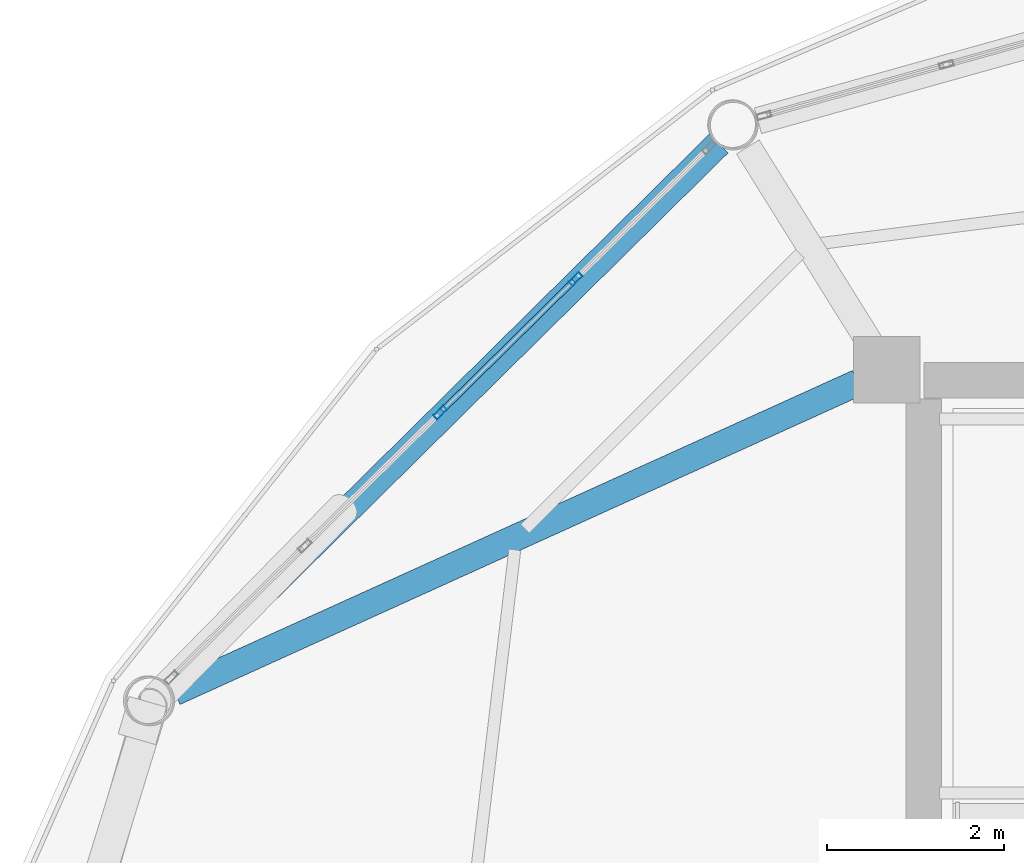
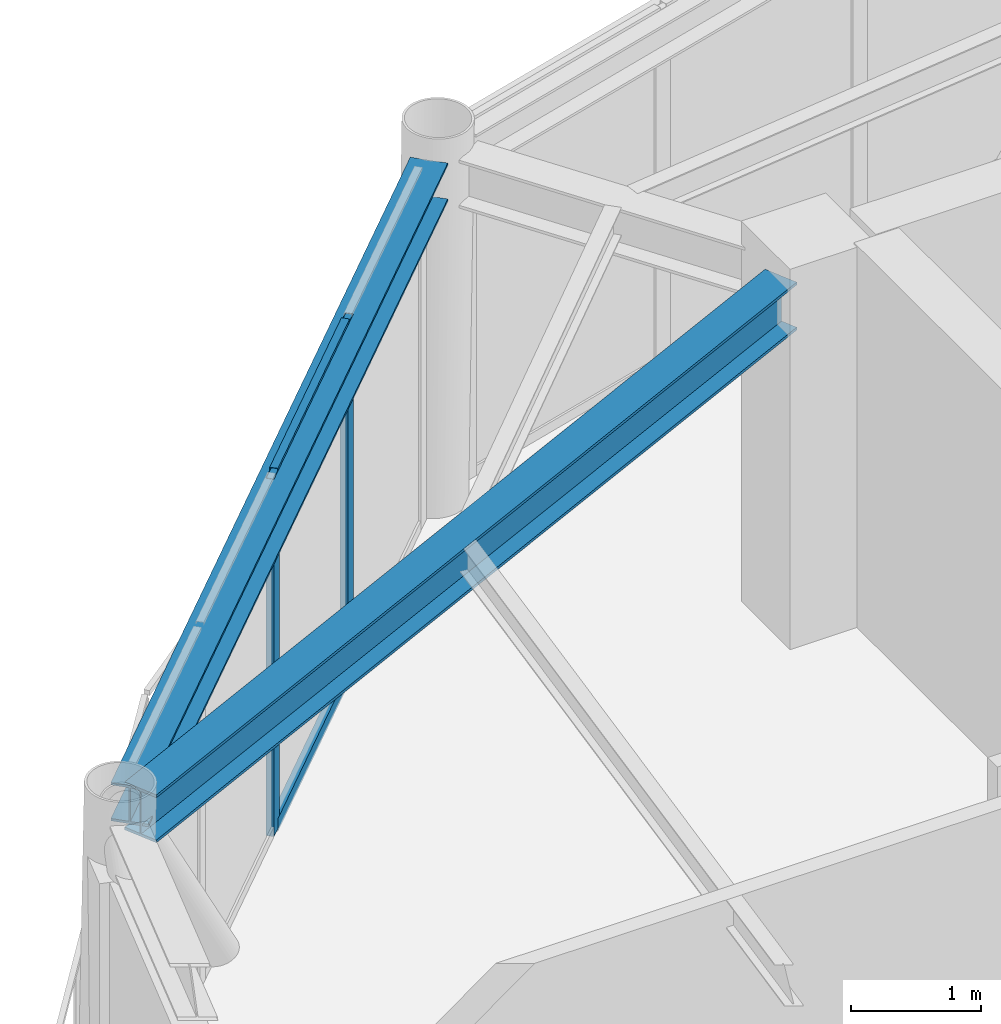
# One storey, part 13 of 26: 4 members, 2 beams, 1 element without a shape of its own.
"""IFC4 building model written with IfcOpenShell, lengths in metres."""

from ifc_helpers import new_model, si_unit, direction, frame, origin, origin_2d, place, context, subcontext, project, spatial, hollow_rectangle, i_section, extrude, material, layer, layer_set, material_profile, profile_set, type_object, element, aggregate, save


model = new_model("IFC4")

# Units and contexts
model_context = context("Model", 3, precision=1e-05, world=origin(), true_north=direction((0.0, 1.0)))
body_context = subcontext(model_context, "Body", "Model", "MODEL_VIEW")
ifc_project = project(units=[si_unit("LENGTHUNIT", "METRE"), si_unit("AREAUNIT", "SQUARE_METRE"), si_unit("VOLUMEUNIT", "CUBIC_METRE"), si_unit("PLANEANGLEUNIT", "RADIAN"), si_unit("MASSUNIT", "GRAM", prefix="KILO")], contexts=[model_context])

# Site, building, storey
site_placement = place(None, origin())
site = spatial("IfcSite", under=ifc_project, at=site_placement, CompositionType="ELEMENT")
building_placement = place(site_placement, origin())
building = spatial("IfcBuilding", under=site, at=building_placement, Name="Varnakorn Sky Granary", CompositionType="ELEMENT")
storey_placement = place(building_placement, frame((0.0, 0.0, 267.0)))
storey = spatial("IfcBuildingStorey", under=building, at=storey_placement, Name="L68", CompositionType="ELEMENT", Elevation=267.0)

# Beams
ifc_material_1 = material(Name="Steel S355JR", Category="steel")
ifc_material_profile_1 = material_profile(ifc_material_1, i_section(OverallWidth=0.300048828125, OverallDepth=0.449951171875, WebThickness=0.013916015625, FlangeThickness=0.02587890625, at=origin_2d()), Name="HE 450 B")
ifc_profile_set_1 = profile_set([ifc_material_profile_1], Name="Steel S355JR")
beam_type_1 = type_object("IfcBeamType", Name="BM-RAD-Z5", PredefinedType="BEAM", material=ifc_profile_set_1)
beam_1_placement = place(storey_placement, frame((-2.743408203125, 12.473388671875, 3.135009765625), z_axis=(-0.910786524574, -0.412877592822, 0.0), x_axis=(0.412877592822, -0.910786524574, 0.0)))
element("IfcBeam", 1, at=beam_1_placement, inside=storey, type_object=beam_type_1, Name="Radial Floor Girder RG06 L68", PredefinedType="BEAM", context=body_context, shape_type="SweptSolid", body=[
    extrude(i_section(OverallWidth=0.300048828125, OverallDepth=0.449951171875, WebThickness=0.013916015625, FlangeThickness=0.02587890625, at=origin_2d()), origin(), (0.0, 0.0, 1.0), 8.469970703125),
])
ifc_material_profile_2 = material_profile(ifc_material_1, i_section(OverallWidth=0.300048828125, OverallDepth=0.360107421875, WebThickness=0.012451171875, FlangeThickness=0.0224609375, at=origin_2d()), Name="HE 360 B")
ifc_profile_set_2 = profile_set([ifc_material_profile_2], Name="Steel S355JR")
beam_type_2 = type_object("IfcBeamType", Name="BM-SPD-Z5", PredefinedType="SPANDREL", material=ifc_profile_set_2)
beam_2_placement = place(storey_placement, frame((-4.315185546875, 15.172119140625, 3.179931640625), z_axis=(-0.71146702689, -0.702719481478, 0.0), x_axis=(0.702719481478, -0.71146702689, 0.0)))
element("IfcBeam", 2, at=beam_2_placement, inside=storey, type_object=beam_type_2, Name="Perimeter Spandrel Ring Beam RB05 L68", PredefinedType="SPANDREL", context=body_context, shape_type="SweptSolid", body=[
    extrude(i_section(OverallWidth=0.300048828125, OverallDepth=0.360107421875, WebThickness=0.012451171875, FlangeThickness=0.0224609375, at=origin_2d()), origin(), (0.0, 0.0, 1.0), 8.707763671875),
])

# Curtain wall, members
ifc_material_2 = material(Name="Anodised Bronze Aluminium Alloy 6063-T6", Category="aluminium")
ifc_layer = layer(ifc_material_2, 0.159912109375, Name="Anodised Bronze Aluminium Alloy 6063-T6")
ifc_layer_set = layer_set([ifc_layer], Name="Anodised Bronze Aluminium Alloy 6063-T6")
curtain_wall_type = type_object("IfcCurtainWallType", Name="CW-OFF-1", PredefinedType="USERDEFINED", material=ifc_layer_set)
curtain_wall_placement = place(storey_placement, origin())
curtain_wall = element("IfcCurtainWall", 3, at=curtain_wall_placement, inside=storey, type_object=curtain_wall_type, Name="Unitised Curtain Wall CW6 CW-L68-B05", ObjectType="CURTAIN WALL", PredefinedType="USERDEFINED")
ifc_material_profile_3 = material_profile(ifc_material_2, hollow_rectangle(XDim=0.06494140625, YDim=0.159912109375, WallThickness=0.00341796875, at=origin_2d()), Name="ALU MULL 65x160")
ifc_profile_set_3 = profile_set([ifc_material_profile_3], Name="Anodised Bronze Aluminium Alloy 6063-T6")
member_type_1 = type_object("IfcMemberType", Name="CW-OFF-1-MULL", PredefinedType="MULLION", material=ifc_profile_set_3)
member_1_placement = place(storey_placement, frame((-7.45849609375, 12.1357421875, 0.0), z_axis=(0.0, 0.0, 1.0), x_axis=(-0.702091405728, 0.71208683319, 0.0)))
member_1 = element("IfcMember", 4, at=member_1_placement, type_object=member_type_1, Name="CW6 mullion 3", PredefinedType="MULLION", context=body_context, shape_type="SweptSolid", body=[
    extrude(hollow_rectangle(XDim=0.06494140625, YDim=0.159912109375, WallThickness=0.00341796875, at=origin_2d()), origin(), (0.0, 0.0, 1.0), 3.360107421875),
])
member_2_placement = place(storey_placement, frame((-5.930419921875, 13.642333984375, 0.0), z_axis=(0.0, 0.0, 1.0), x_axis=(-0.702091405728, 0.71208683319, 0.0)))
member_2 = element("IfcMember", 5, at=member_2_placement, type_object=member_type_1, Name="CW6 mullion 4", PredefinedType="MULLION", context=body_context, shape_type="SweptSolid", body=[
    extrude(hollow_rectangle(XDim=0.06494140625, YDim=0.159912109375, WallThickness=0.00341796875, at=origin_2d()), origin(), (0.0, 0.0, 1.0), 3.360107421875),
])
ifc_material_profile_4 = material_profile(ifc_material_2, hollow_rectangle(XDim=0.06494140625, YDim=0.1201171875, WallThickness=0.00341796875, at=origin_2d()), Name="ALU TRAN 65x120")
ifc_profile_set_4 = profile_set([ifc_material_profile_4], Name="Anodised Bronze Aluminium Alloy 6063-T6")
member_type_2 = type_object("IfcMemberType", Name="CW-OFF-1-TRAN", PredefinedType="USERDEFINED", material=ifc_profile_set_4)
member_3_placement = place(storey_placement, frame((-7.435302734375, 12.158447265625, 0.032470703125), z_axis=(0.712017066313, 0.70216215882, 0.0), x_axis=(-0.70216215882, 0.712017066313, 0.0)))
member_3 = element("IfcMember", 6, at=member_3_placement, type_object=member_type_2, Name="CW6 transom 3.1", ObjectType="TRANSOM", PredefinedType="USERDEFINED", context=body_context, shape_type="SweptSolid", body=[
    extrude(hollow_rectangle(XDim=0.06494140625, YDim=0.1201171875, WallThickness=0.00341796875, at=origin_2d()), origin(), (0.0, 0.0, 1.0), 2.0810546875),
])
member_4_placement = place(storey_placement, frame((-7.435302734375, 12.158447265625, 3.327392578125), z_axis=(0.712017066313, 0.70216215882, 0.0), x_axis=(-0.70216215882, 0.712017066313, 0.0)))
member_4 = element("IfcMember", 7, at=member_4_placement, type_object=member_type_2, Name="CW6 transom 3.2", ObjectType="TRANSOM", PredefinedType="USERDEFINED", context=body_context, shape_type="SweptSolid", body=[
    extrude(hollow_rectangle(XDim=0.06494140625, YDim=0.1201171875, WallThickness=0.00341796875, at=origin_2d()), origin(), (0.0, 0.0, 1.0), 2.0810546875),
])
aggregate(curtain_wall, [member_1, member_2, member_3, member_4])

save(model, "model.ifc")
